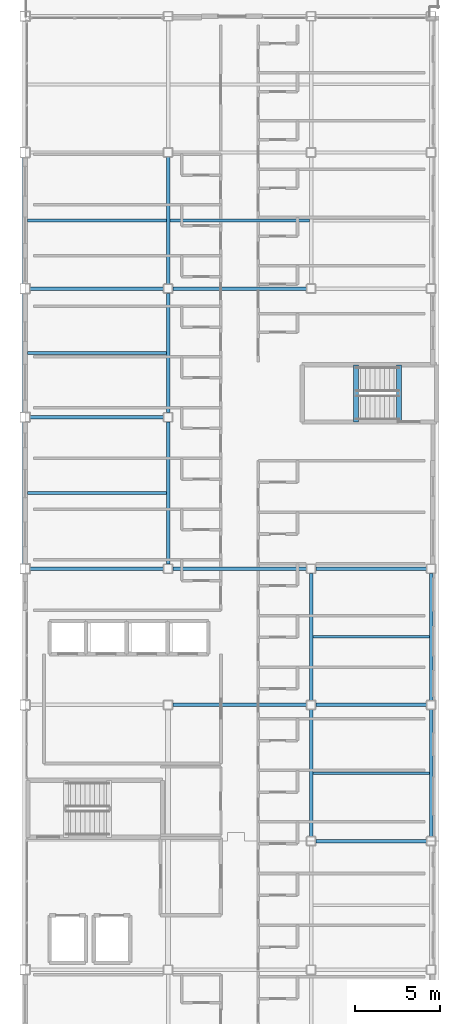
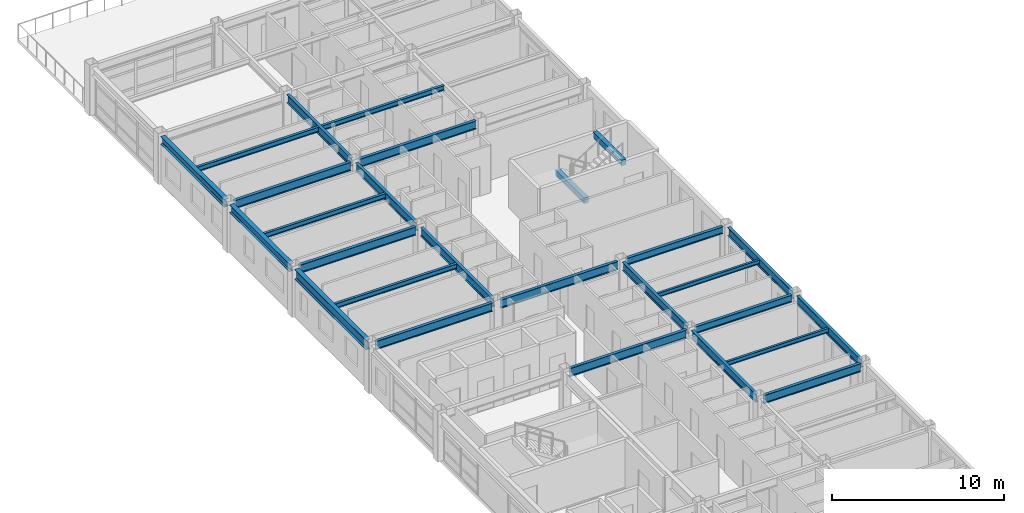
# One storey, part 17 of 36: 27 beams.
"""IFC4 building model written with IfcOpenShell, lengths in metres."""

from ifc_helpers import new_model, si_unit, direction, frame, origin, origin_2d, place, context, subcontext, project, spatial, rectangle, i_section, extrude, material, material_profile, profile_set, type_object, element, save


model = new_model("IFC4")

# Units and contexts
model_context = context("Model", 3, precision=1e-05, world=origin(), true_north=direction((0.0, 1.0)))
body_context = subcontext(model_context, "Body", "Model", "MODEL_VIEW")
ifc_project = project(units=[si_unit("LENGTHUNIT", "METRE"), si_unit("AREAUNIT", "SQUARE_METRE"), si_unit("VOLUMEUNIT", "CUBIC_METRE"), si_unit("PLANEANGLEUNIT", "RADIAN"), si_unit("MASSUNIT", "GRAM", prefix="KILO")], contexts=[model_context])

# Site, building, storey
site_placement = place(None, origin())
site = spatial("IfcSite", under=ifc_project, at=site_placement, CompositionType="ELEMENT")
building_placement = place(site_placement, origin())
building = spatial("IfcBuilding", under=site, at=building_placement, Name="Kazehara Bluff Congress Hotel", CompositionType="ELEMENT")
storey_placement = place(building_placement, frame((0.0, 0.0, 31.800048828125)))
storey = spatial("IfcBuildingStorey", under=building, at=storey_placement, Name="L07", CompositionType="ELEMENT", Elevation=31.800048828125)

# Beams
ifc_material_1 = material(Name="Steel SN490B", Category="steel")
ifc_material_profile_1 = material_profile(ifc_material_1, i_section(OverallWidth=0.199951171875, OverallDepth=0.5, WebThickness=0.010009765625, FlangeThickness=0.01611328125, FilletRadius=0.012939453125, at=origin_2d()))
ifc_profile_set_1 = profile_set([ifc_material_profile_1], Name="Steel SN490B")
beam_type_1 = type_object("IfcBeamType", Name="TP-G-01", PredefinedType="BEAM", material=ifc_profile_set_1)
for number, where, z_axis, x_axis, name in (
    (1, (160.77490234375, 56.449951171875, 3.1298828125), (1.0, 0.0, 0.0), (0.0, 1.0, 0.0), "L07 girder G-01 54"),
    (2, (160.77490234375, 64.449951171875, 3.1298828125), (1.0, 0.0, 0.0), (0.0, 1.0, 0.0), "L07 girder G-01 57"),
):
    element("IfcBeam", number, at=place(storey_placement, frame(where, z_axis=z_axis, x_axis=x_axis)), inside=storey, type_object=beam_type_1, Name=name, PredefinedType="BEAM", context=body_context, shape_type="SweptSolid", body=[
        extrude(i_section(OverallWidth=0.199951171875, OverallDepth=0.5, WebThickness=0.010009765625, FlangeThickness=0.01611328125, FilletRadius=0.012939453125, at=origin_2d()), origin(), (0.0, 0.0, 1.0), 6.5),
    ])
ifc_material_2 = material(Name="Steel SN490B", Category="steel")
ifc_material_profile_2 = material_profile(ifc_material_2, i_section(OverallWidth=0.199951171875, OverallDepth=0.60009765625, WebThickness=0.010986328125, FlangeThickness=0.01708984375, FilletRadius=0.012939453125, at=origin_2d()))
ifc_profile_set_2 = profile_set([ifc_material_profile_2], Name="Steel SN490B")
beam_type_2 = type_object("IfcBeamType", Name="TP-G-02", PredefinedType="BEAM", material=ifc_profile_set_2)
beam_1_placement = place(storey_placement, frame((152.10009765625, 64.72509765625, 3.079833984375), z_axis=(0.0, 1.0, 0.0), x_axis=(-1.0, 0.0, 0.0)))
element("IfcBeam", 3, at=beam_1_placement, inside=storey, type_object=beam_type_2, Name="L07 girder G-02 16", PredefinedType="BEAM", context=body_context, shape_type="SweptSolid", body=[
    extrude(i_section(OverallWidth=0.199951171875, OverallDepth=0.60009765625, WebThickness=0.010986328125, FlangeThickness=0.01708984375, FilletRadius=0.012939453125, at=origin_2d()), origin(), (0.0, 0.0, 1.0), 8.349853515625),
])
beam_2_placement = place(storey_placement, frame((152.10009765625, 73.625, 3.079833984375), z_axis=(0.0, 1.0, 0.0), x_axis=(-1.0, 0.0, 0.0)))
element("IfcBeam", 4, at=beam_2_placement, inside=storey, type_object=beam_type_2, Name="L07 girder G-02 17", PredefinedType="BEAM", context=body_context, shape_type="SweptSolid", body=[
    extrude(i_section(OverallWidth=0.199951171875, OverallDepth=0.60009765625, WebThickness=0.010986328125, FlangeThickness=0.01708984375, FilletRadius=0.012939453125, at=origin_2d()), origin(), (0.0, 0.0, 1.0), 7.0),
])
for number, where, z_axis, x_axis, name in (
    (5, (152.10009765625, 81.175048828125, 3.079833984375), (0.0, 1.0, 0.0), (-1.0, 0.0, 0.0), "L07 girder G-02 18"),
    (6, (160.5, 48.72509765625, 3.079833984375), (0.0, 1.0, 0.0), (-1.0, 0.0, 0.0), "L07 girder G-02 24"),
    (7, (160.5, 56.72509765625, 3.079833984375), (0.0, 1.0, 0.0), (-1.0, 0.0, 0.0), "L07 girder G-02 25"),
    (8, (167.550048828125, 48.72509765625, 3.079833984375), (0.0, 1.0, 0.0), (-1.0, 0.0, 0.0), "L07 girder G-02 32"),
    (9, (167.550048828125, 56.72509765625, 3.079833984375), (0.0, 1.0, 0.0), (-1.0, 0.0, 0.0), "L07 girder G-02 33"),
):
    element("IfcBeam", number, at=place(storey_placement, frame(where, z_axis=z_axis, x_axis=x_axis)), inside=storey, type_object=beam_type_2, Name=name, PredefinedType="BEAM", context=body_context, shape_type="SweptSolid", body=[
        extrude(i_section(OverallWidth=0.199951171875, OverallDepth=0.60009765625, WebThickness=0.010986328125, FlangeThickness=0.01708984375, FilletRadius=0.012939453125, at=origin_2d()), origin(), (0.0, 0.0, 1.0), 7.449951171875),
    ])
beam_3_placement = place(storey_placement, frame((152.375, 56.449951171875, 3.079833984375), z_axis=(1.0, 0.0, 0.0), x_axis=(0.0, 1.0, 0.0)))
element("IfcBeam", 10, at=beam_3_placement, inside=storey, type_object=beam_type_2, Name="L07 girder G-02 53", PredefinedType="BEAM", context=body_context, shape_type="SweptSolid", body=[
    extrude(i_section(OverallWidth=0.199951171875, OverallDepth=0.60009765625, WebThickness=0.010986328125, FlangeThickness=0.01708984375, FilletRadius=0.012939453125, at=origin_2d()), origin(), (0.0, 0.0, 1.0), 7.85009765625),
])
beam_4_placement = place(storey_placement, frame((144.0, 64.449951171875, 3.079833984375), z_axis=(1.0, 0.0, 0.0), x_axis=(0.0, 1.0, 0.0)))
element("IfcBeam", 11, at=beam_4_placement, inside=storey, type_object=beam_type_2, Name="L07 girder G-02 55", PredefinedType="BEAM", context=body_context, shape_type="SweptSolid", body=[
    extrude(i_section(OverallWidth=0.199951171875, OverallDepth=0.60009765625, WebThickness=0.010986328125, FlangeThickness=0.01708984375, FilletRadius=0.012939453125, at=origin_2d()), origin(), (0.0, 0.0, 1.0), 7.824951171875),
])
beam_5_placement = place(storey_placement, frame((152.375, 64.449951171875, 3.079833984375), z_axis=(1.0, 0.0, 0.0), x_axis=(0.0, 1.0, 0.0)))
element("IfcBeam", 12, at=beam_5_placement, inside=storey, type_object=beam_type_2, Name="L07 girder G-02 56", PredefinedType="BEAM", context=body_context, shape_type="SweptSolid", body=[
    extrude(i_section(OverallWidth=0.199951171875, OverallDepth=0.60009765625, WebThickness=0.010986328125, FlangeThickness=0.01708984375, FilletRadius=0.012939453125, at=origin_2d()), origin(), (0.0, 0.0, 1.0), 7.85009765625),
])
beam_6_placement = place(storey_placement, frame((144.0, 73.35009765625, 3.079833984375), z_axis=(1.0, 0.0, 0.0), x_axis=(0.0, 1.0, 0.0)))
element("IfcBeam", 13, at=beam_6_placement, inside=storey, type_object=beam_type_2, Name="L07 girder G-02 58", PredefinedType="BEAM", context=body_context, shape_type="SweptSolid", body=[
    extrude(i_section(OverallWidth=0.199951171875, OverallDepth=0.60009765625, WebThickness=0.010986328125, FlangeThickness=0.01708984375, FilletRadius=0.012939453125, at=origin_2d()), origin(), (0.0, 0.0, 1.0), 7.824951171875),
])
ifc_material_3 = material(Name="Steel SN400B", Category="steel")
ifc_material_profile_3 = material_profile(ifc_material_3, i_section(OverallWidth=0.14990234375, OverallDepth=0.300048828125, WebThickness=0.006591796875, FlangeThickness=0.009033203125, FilletRadius=0.012939453125, at=origin_2d()))
ifc_profile_set_3 = profile_set([ifc_material_profile_3], Name="Steel SN400B")
beam_type_3 = type_object("IfcBeamType", Name="TP-J-01", PredefinedType="JOIST", material=ifc_profile_set_3)
for number, where, z_axis, x_axis, name in (
    (14, (160.60009765625, 52.449951171875, 3.22998046875), (1.0, 0.0, 0.0), (0.0, 1.0, 0.0), "L07 secondary joist J-01 17"),
    (15, (160.60009765625, 60.449951171875, 3.22998046875), (1.0, 0.0, 0.0), (0.0, 1.0, 0.0), "L07 secondary joist J-01 18"),
):
    element("IfcBeam", number, at=place(storey_placement, frame(where, z_axis=z_axis, x_axis=x_axis)), inside=storey, type_object=beam_type_3, Name=name, PredefinedType="JOIST", context=body_context, shape_type="SweptSolid", body=[
        extrude(i_section(OverallWidth=0.14990234375, OverallDepth=0.300048828125, WebThickness=0.006591796875, FlangeThickness=0.009033203125, FilletRadius=0.012939453125, at=origin_2d()), origin(), (0.0, 0.0, 1.0), 6.849853515625),
    ])
ifc_material_4 = material(Name="Steel SN400B", Category="steel")
ifc_material_profile_4 = material_profile(ifc_material_4, i_section(OverallWidth=0.175048828125, OverallDepth=0.35009765625, WebThickness=0.007080078125, FlangeThickness=0.010986328125, FilletRadius=0.012939453125, at=origin_2d()))
ifc_profile_set_4 = profile_set([ifc_material_profile_4], Name="Steel SN400B")
beam_type_4 = type_object("IfcBeamType", Name="TP-J-02", PredefinedType="JOIST", material=ifc_profile_set_4)
for number, where, z_axis, x_axis, name in (
    (16, (143.85009765625, 68.89990234375, 3.204833984375), (1.0, 0.0, 0.0), (0.0, 1.0, 0.0), "L07 secondary joist J-02 4"),
    (17, (143.85009765625, 77.125, 3.204833984375), (1.0, 0.0, 0.0), (0.0, 1.0, 0.0), "L07 secondary joist J-02 5"),
    (18, (143.85009765625, 84.89990234375, 3.204833984375), (1.0, 0.0, 0.0), (0.0, 1.0, 0.0), "L07 secondary joist J-02 6"),
):
    element("IfcBeam", number, at=place(storey_placement, frame(where, z_axis=z_axis, x_axis=x_axis)), inside=storey, type_object=beam_type_4, Name=name, PredefinedType="JOIST", context=body_context, shape_type="SweptSolid", body=[
        extrude(i_section(OverallWidth=0.175048828125, OverallDepth=0.35009765625, WebThickness=0.007080078125, FlangeThickness=0.010986328125, FilletRadius=0.012939453125, at=origin_2d()), origin(), (0.0, 0.0, 1.0), 8.14990234375),
    ])
beam_7_placement = place(storey_placement, frame((152.199951171875, 84.89990234375, 3.204833984375), z_axis=(1.0, 0.0, 0.0), x_axis=(0.0, 1.0, 0.0)))
element("IfcBeam", 19, at=beam_7_placement, inside=storey, type_object=beam_type_4, Name="L07 secondary joist J-02 11", PredefinedType="JOIST", context=body_context, shape_type="SweptSolid", body=[
    extrude(i_section(OverallWidth=0.175048828125, OverallDepth=0.35009765625, WebThickness=0.007080078125, FlangeThickness=0.010986328125, FilletRadius=0.012939453125, at=origin_2d()), origin(), (0.0, 0.0, 1.0), 8.199951171875),
])
ifc_material_5 = material(Name="Concrete C40/50", Category="concrete")
ifc_material_profile_5 = material_profile(ifc_material_5, rectangle(XDim=0.300048828125, YDim=0.39990234375, at=origin_2d()))
ifc_profile_set_5 = profile_set([ifc_material_profile_5], Name="Concrete C40/50")
beam_type_5 = type_object("IfcBeamType", Name="TP-LN-02", PredefinedType="LINTEL", material=ifc_profile_set_5)
for number, where, z_axis, x_axis, name in (
    (20, (163.1298828125, 76.425048828125, 1.419921875), (0.0, -1.0, 0.0), (1.0, 0.0, 0.0), "L07 ST-12 half-landing support beam 1"),
    (21, (165.64990234375, 76.425048828125, 3.199951171875), (0.0, -1.0, 0.0), (1.0, 0.0, 0.0), "L08 ST-12 stairwell trimmer beam"),
):
    element("IfcBeam", number, at=place(storey_placement, frame(where, z_axis=z_axis, x_axis=x_axis)), inside=storey, type_object=beam_type_5, Name=name, PredefinedType="LINTEL", context=body_context, shape_type="SweptSolid", body=[
        extrude(rectangle(XDim=0.300048828125, YDim=0.39990234375, at=origin_2d()), origin(), (0.0, 0.0, 1.0), 3.35009765625),
    ])
ifc_material_6 = material(Name="Steel SN490B", Category="steel")
ifc_material_profile_6 = material_profile(ifc_material_6, i_section(OverallWidth=0.300048828125, OverallDepth=0.550048828125, WebThickness=0.010986328125, FlangeThickness=0.01806640625, FilletRadius=0.012939453125, at=origin_2d()))
ifc_profile_set_6 = profile_set([ifc_material_profile_6], Name="Steel SN490B")
beam_type_6 = type_object("IfcBeamType", Name="TP-SP-01", PredefinedType="SPANDREL", material=ifc_profile_set_6)
beam_8_placement = place(storey_placement, frame((143.699951171875, 73.64990234375, 3.10498046875), z_axis=(0.0, 1.0, 0.0), x_axis=(-1.0, 0.0, 0.0)))
element("IfcBeam", 22, at=beam_8_placement, inside=storey, type_object=beam_type_6, Name="L07 girder SP-01 8", PredefinedType="SPANDREL", context=body_context, shape_type="SweptSolid", body=[
    extrude(i_section(OverallWidth=0.300048828125, OverallDepth=0.550048828125, WebThickness=0.010986328125, FlangeThickness=0.01806640625, FilletRadius=0.012939453125, at=origin_2d()), origin(), (0.0, 0.0, 1.0), 6.9501953125),
])
beam_9_placement = place(storey_placement, frame((143.699951171875, 81.199951171875, 3.10498046875), z_axis=(0.0, 1.0, 0.0), x_axis=(-1.0, 0.0, 0.0)))
element("IfcBeam", 23, at=beam_9_placement, inside=storey, type_object=beam_type_6, Name="L07 girder SP-01 9", PredefinedType="SPANDREL", context=body_context, shape_type="SweptSolid", body=[
    extrude(i_section(OverallWidth=0.300048828125, OverallDepth=0.550048828125, WebThickness=0.010986328125, FlangeThickness=0.01806640625, FilletRadius=0.012939453125, at=origin_2d()), origin(), (0.0, 0.0, 1.0), 7.400146484375),
])
ifc_material_7 = material(Name="Steel SN490B", Category="steel")
ifc_material_profile_7 = material_profile(ifc_material_7, i_section(OverallWidth=0.199951171875, OverallDepth=0.60009765625, WebThickness=0.010986328125, FlangeThickness=0.01708984375, FilletRadius=0.012939453125, at=origin_2d()))
ifc_profile_set_7 = profile_set([ifc_material_profile_7], Name="Steel SN490B")
beam_type_7 = type_object("IfcBeamType", Name="TP-SP-02", PredefinedType="SPANDREL", material=ifc_profile_set_7)
beam_10_placement = place(storey_placement, frame((160.77490234375, 48.449951171875, 3.079833984375), z_axis=(1.0, 0.0, 0.0), x_axis=(0.0, 1.0, 0.0)))
element("IfcBeam", 24, at=beam_10_placement, inside=storey, type_object=beam_type_7, Name="L07 girder SP-02 51", PredefinedType="SPANDREL", context=body_context, shape_type="SweptSolid", body=[
    extrude(i_section(OverallWidth=0.199951171875, OverallDepth=0.60009765625, WebThickness=0.010986328125, FlangeThickness=0.01708984375, FilletRadius=0.012939453125, at=origin_2d()), origin(), (0.0, 0.0, 1.0), 6.5),
])
beam_11_placement = place(storey_placement, frame((144.0, 80.89990234375, 3.079833984375), z_axis=(1.0, 0.0, 0.0), x_axis=(0.0, 1.0, 0.0)))
element("IfcBeam", 25, at=beam_11_placement, inside=storey, type_object=beam_type_7, Name="L07 girder SP-02 59", PredefinedType="SPANDREL", context=body_context, shape_type="SweptSolid", body=[
    extrude(i_section(OverallWidth=0.199951171875, OverallDepth=0.60009765625, WebThickness=0.010986328125, FlangeThickness=0.01708984375, FilletRadius=0.012939453125, at=origin_2d()), origin(), (0.0, 0.0, 1.0), 7.824951171875),
])
beam_12_placement = place(storey_placement, frame((152.375, 80.89990234375, 3.079833984375), z_axis=(1.0, 0.0, 0.0), x_axis=(0.0, 1.0, 0.0)))
element("IfcBeam", 26, at=beam_12_placement, inside=storey, type_object=beam_type_7, Name="L07 girder SP-02 60", PredefinedType="SPANDREL", context=body_context, shape_type="SweptSolid", body=[
    extrude(i_section(OverallWidth=0.199951171875, OverallDepth=0.60009765625, WebThickness=0.010986328125, FlangeThickness=0.01708984375, FilletRadius=0.012939453125, at=origin_2d()), origin(), (0.0, 0.0, 1.0), 7.85009765625),
])
ifc_material_8 = material(Name="Steel SN490B", Category="steel")
ifc_material_profile_8 = material_profile(ifc_material_8, i_section(OverallWidth=0.300048828125, OverallDepth=0.699951171875, WebThickness=0.012939453125, FlangeThickness=0.02392578125, FilletRadius=0.01806640625, at=origin_2d()))
ifc_profile_set_8 = profile_set([ifc_material_profile_8], Name="Steel SN490B")
beam_type_8 = type_object("IfcBeamType", Name="TP-SP-03", PredefinedType="SPANDREL", material=ifc_profile_set_8)
beam_13_placement = place(storey_placement, frame((143.699951171875, 64.75, 3.030029296875), z_axis=(0.0, 1.0, 0.0), x_axis=(-1.0, 0.0, 0.0)))
element("IfcBeam", 27, at=beam_13_placement, inside=storey, type_object=beam_type_8, Name="L07 girder SP-03 7", PredefinedType="SPANDREL", context=body_context, shape_type="SweptSolid", body=[
    extrude(i_section(OverallWidth=0.300048828125, OverallDepth=0.699951171875, WebThickness=0.012939453125, FlangeThickness=0.02392578125, FilletRadius=0.01806640625, at=origin_2d()), origin(), (0.0, 0.0, 1.0), 8.300048828125),
])

save(model, "model.ifc")
